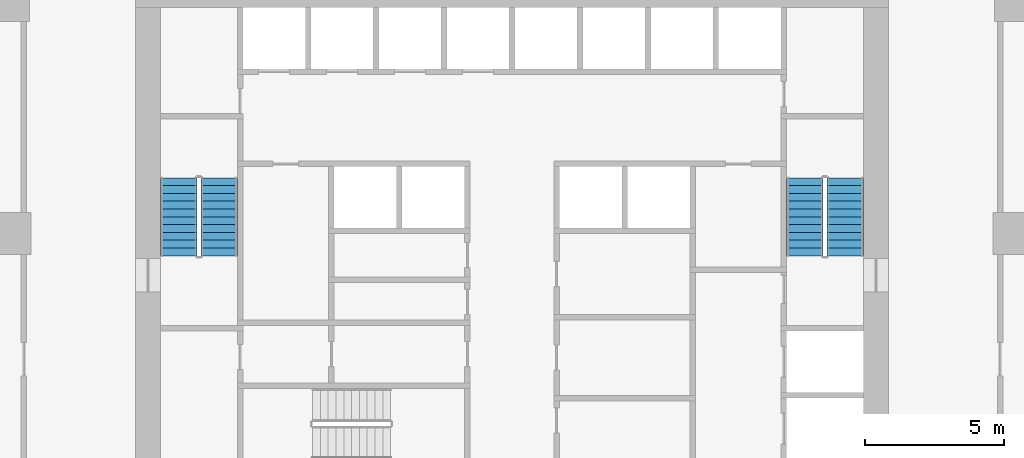
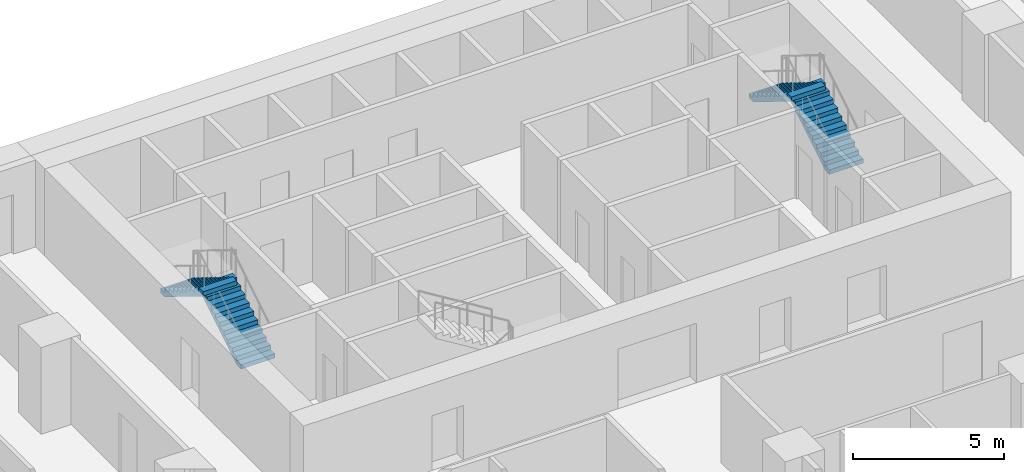
# One storey, part 7 of 14: 4 stair flights, 2 elements without a shape of their own.
"""IFC4 building model written with IfcOpenShell, lengths in metres."""

from ifc_helpers import new_model, si_unit, direction, frame, origin, place, context, subcontext, project, spatial, polyline, outline, extrude, material, type_object, element, aggregate, save


model = new_model("IFC4")

# Units and contexts
model_context = context("Model", 3, precision=1e-05, world=origin(), true_north=direction((0.0, 1.0)))
body_context = subcontext(model_context, "Body", "Model", "MODEL_VIEW")
ifc_project = project(units=[si_unit("LENGTHUNIT", "METRE"), si_unit("AREAUNIT", "SQUARE_METRE"), si_unit("VOLUMEUNIT", "CUBIC_METRE"), si_unit("PLANEANGLEUNIT", "RADIAN"), si_unit("MASSUNIT", "GRAM", prefix="KILO")], contexts=[model_context])

# Site, building, storey
site_placement = place(None, origin())
site = spatial("IfcSite", under=ifc_project, at=site_placement, CompositionType="ELEMENT")
building_placement = place(site_placement, origin())
building = spatial("IfcBuilding", under=site, at=building_placement, Name="Orbiselva Terraces", CompositionType="ELEMENT")
storey_placement = place(building_placement, frame((0.0, 0.0, 45.4)))
storey = spatial("IfcBuildingStorey", under=building, at=storey_placement, Name="L11", CompositionType="ELEMENT", Elevation=45.4)

# Stair, stair flights
ifc_material = material(Name="Concrete C40/50", Category="concrete")
stair_type = type_object("IfcStairType", Name="CORE-STAIR-1300", PredefinedType="HALF_TURN_STAIR", material=ifc_material)
stair_1_placement = place(storey_placement, origin())
stair_1 = element("IfcStair", 1, at=stair_1_placement, inside=storey, type_object=stair_type, Name="L11 Exit Stair S1", PredefinedType="HALF_TURN_STAIR")
stair_flight_type = type_object("IfcStairFlightType", Name="CORE-STAIR-FLIGHT-1300", PredefinedType="STRAIGHT", material=ifc_material)
stair_flight_1_placement = place(storey_placement, frame((-10.5, 12.7, 0.0), z_axis=(0.0, 0.0, 1.0), x_axis=(0.0, 1.0, 0.0)))
stair_flight_1 = element("IfcStairFlight", 2, at=stair_flight_1_placement, type_object=stair_flight_type, Name="S1 flight 1", NumberOfRisers=11, NumberOfTreads=10, PredefinedType="STRAIGHT", RiserHeight=0.172727273, TreadLength=0.28, context=body_context, shape_type="SweptSolid", body=[
    extrude(outline(polyline([(0.0, 0.0), (0.0, 0.172727), (0.28, 0.172727), (0.28, 0.345455), (0.56, 0.345455), (0.56, 0.518182), (0.84, 0.518182), (0.84, 0.690909), (1.12, 0.690909), (1.12, 0.863636), (1.4, 0.863636), (1.4, 1.036364), (1.68, 1.036364), (1.68, 1.209091), (1.96, 1.209091), (1.96, 1.381818), (2.24, 1.381818), (2.24, 1.554545), (2.52, 1.554545), (2.52, 1.727273), (2.8, 1.727273), (2.8, 1.9), (2.8, 1.551028), (0.285702, 0.0), (0.0, 0.0)])), frame((0.0, 0.65, 0.0), z_axis=(0.0, -1.0, 0.0), x_axis=(1.0, 0.0, 0.0)), (0.0, 0.0, 1.0), 1.3),
])
stair_flight_2_placement = place(storey_placement, frame((-11.95, 15.5, 1.9), z_axis=(0.0, 0.0, 1.0), x_axis=(0.0, -1.0, 0.0)))
stair_flight_2 = element("IfcStairFlight", 3, at=stair_flight_2_placement, type_object=stair_flight_type, Name="S1 flight 2", NumberOfRisers=11, NumberOfTreads=10, PredefinedType="STRAIGHT", RiserHeight=0.172727273, TreadLength=0.28, context=body_context, shape_type="SweptSolid", body=[
    extrude(outline(polyline([(0.0, 0.0), (0.0, 0.172727), (0.28, 0.172727), (0.28, 0.345455), (0.56, 0.345455), (0.56, 0.518182), (0.84, 0.518182), (0.84, 0.690909), (1.12, 0.690909), (1.12, 0.863636), (1.4, 0.863636), (1.4, 1.036364), (1.68, 1.036364), (1.68, 1.209091), (1.96, 1.209091), (1.96, 1.381818), (2.24, 1.381818), (2.24, 1.554545), (2.52, 1.554545), (2.52, 1.727273), (2.8, 1.727273), (2.8, 1.9), (2.8, 1.551028), (0.285702, 0.0), (0.0, 0.0)])), frame((0.0, 0.65, 0.0), z_axis=(0.0, -1.0, 0.0), x_axis=(1.0, 0.0, 0.0)), (0.0, 0.0, 1.0), 1.3),
])
aggregate(stair_1, [stair_flight_1, stair_flight_2])

stair_2_placement = place(storey_placement, origin())
stair_2 = element("IfcStair", 4, at=stair_2_placement, inside=storey, type_object=stair_type, Name="L11 Exit Stair S2", PredefinedType="HALF_TURN_STAIR")
stair_flight_3_placement = place(storey_placement, frame((11.95, 12.7, 0.0), z_axis=(0.0, 0.0, 1.0), x_axis=(0.0, 1.0, 0.0)))
stair_flight_3 = element("IfcStairFlight", 5, at=stair_flight_3_placement, type_object=stair_flight_type, Name="S2 flight 1", NumberOfRisers=11, NumberOfTreads=10, PredefinedType="STRAIGHT", RiserHeight=0.172727273, TreadLength=0.28, context=body_context, shape_type="SweptSolid", body=[
    extrude(outline(polyline([(0.0, 0.0), (0.0, 0.172727), (0.28, 0.172727), (0.28, 0.345455), (0.56, 0.345455), (0.56, 0.518182), (0.84, 0.518182), (0.84, 0.690909), (1.12, 0.690909), (1.12, 0.863636), (1.4, 0.863636), (1.4, 1.036364), (1.68, 1.036364), (1.68, 1.209091), (1.96, 1.209091), (1.96, 1.381818), (2.24, 1.381818), (2.24, 1.554545), (2.52, 1.554545), (2.52, 1.727273), (2.8, 1.727273), (2.8, 1.9), (2.8, 1.551028), (0.285702, 0.0), (0.0, 0.0)])), frame((0.0, 0.65, 0.0), z_axis=(0.0, -1.0, 0.0), x_axis=(1.0, 0.0, 0.0)), (0.0, 0.0, 1.0), 1.3),
])
stair_flight_4_placement = place(storey_placement, frame((10.5, 15.5, 1.9), z_axis=(0.0, 0.0, 1.0), x_axis=(0.0, -1.0, 0.0)))
stair_flight_4 = element("IfcStairFlight", 6, at=stair_flight_4_placement, type_object=stair_flight_type, Name="S2 flight 2", NumberOfRisers=11, NumberOfTreads=10, PredefinedType="STRAIGHT", RiserHeight=0.172727273, TreadLength=0.28, context=body_context, shape_type="SweptSolid", body=[
    extrude(outline(polyline([(0.0, 0.0), (0.0, 0.172727), (0.28, 0.172727), (0.28, 0.345455), (0.56, 0.345455), (0.56, 0.518182), (0.84, 0.518182), (0.84, 0.690909), (1.12, 0.690909), (1.12, 0.863636), (1.4, 0.863636), (1.4, 1.036364), (1.68, 1.036364), (1.68, 1.209091), (1.96, 1.209091), (1.96, 1.381818), (2.24, 1.381818), (2.24, 1.554545), (2.52, 1.554545), (2.52, 1.727273), (2.8, 1.727273), (2.8, 1.9), (2.8, 1.551028), (0.285702, 0.0), (0.0, 0.0)])), frame((0.0, 0.65, 0.0), z_axis=(0.0, -1.0, 0.0), x_axis=(1.0, 0.0, 0.0)), (0.0, 0.0, 1.0), 1.3),
])
aggregate(stair_2, [stair_flight_3, stair_flight_4])

save(model, "model.ifc")
